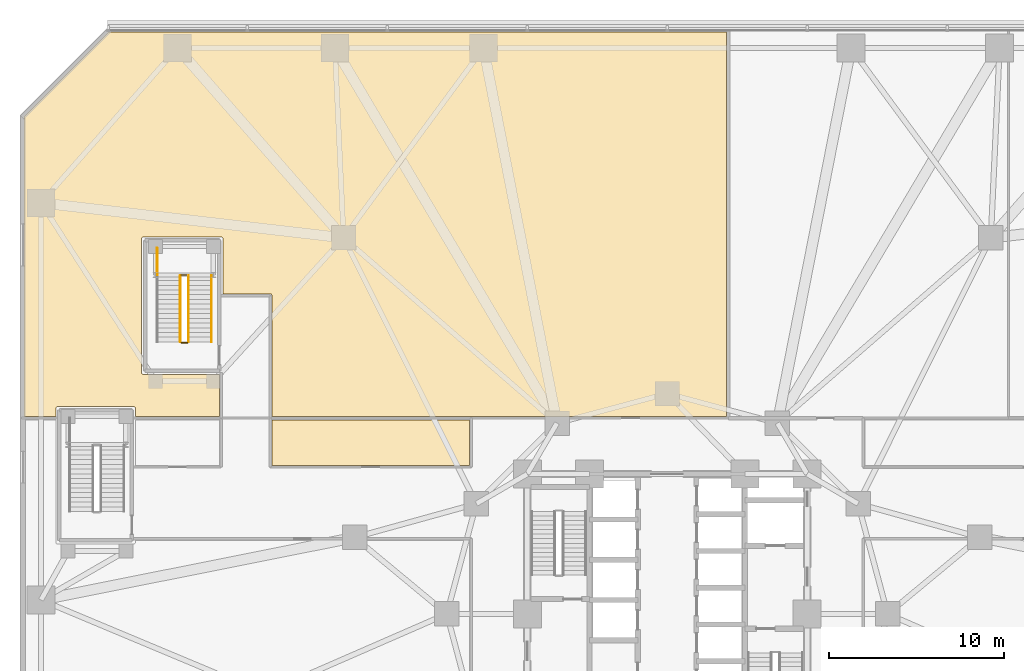
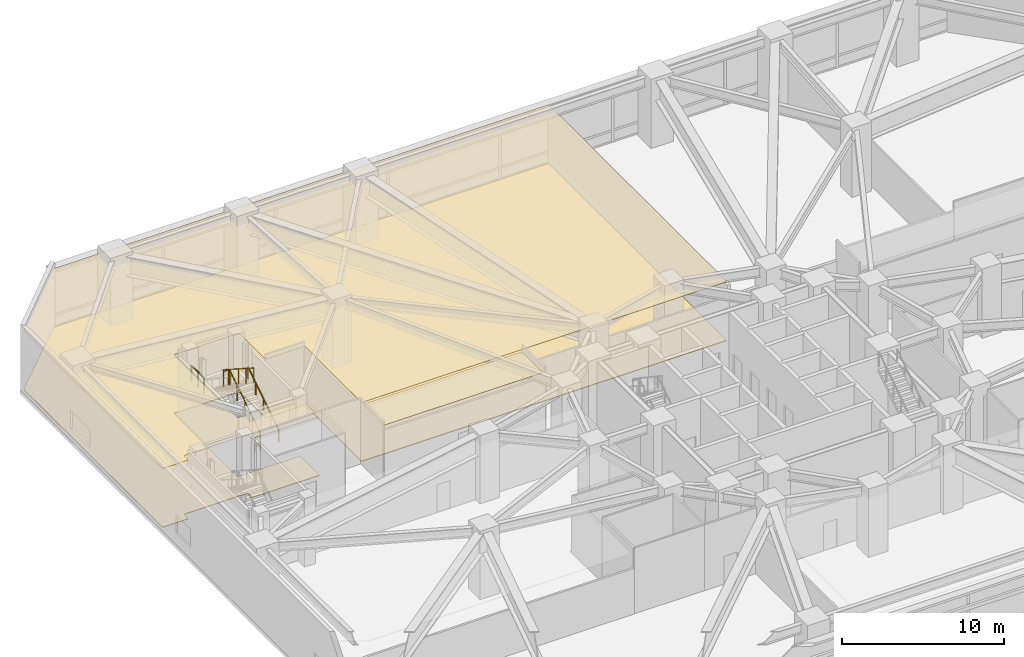
# One storey, part 25 of 27: 6 railings, 3 coverings.
"""IFC4 building model written with IfcOpenShell, lengths in metres."""

from ifc_helpers import new_model, si_unit, direction, frame, origin, origin_2d, place, context, subcontext, project, spatial, polyline, circle, outline, extrude, material, layer, layer_set, type_object, element, save


model = new_model("IFC4")

# Units and contexts
model_context = context("Model", 3, precision=1e-05, world=origin(), true_north=direction((0.0, 1.0)))
body_context = subcontext(model_context, "Body", "Model", "MODEL_VIEW")
ifc_project = project(units=[si_unit("LENGTHUNIT", "METRE"), si_unit("AREAUNIT", "SQUARE_METRE"), si_unit("VOLUMEUNIT", "CUBIC_METRE"), si_unit("PLANEANGLEUNIT", "RADIAN"), si_unit("MASSUNIT", "GRAM", prefix="KILO")], contexts=[model_context])

# Site, building, storey
site_placement = place(None, origin())
site = spatial("IfcSite", under=ifc_project, at=site_placement, CompositionType="ELEMENT")
building_placement = place(site_placement, origin())
building = spatial("IfcBuilding", under=site, at=building_placement, Name="Terralouvre Media Tower", CompositionType="ELEMENT")
storey_placement = place(building_placement, frame((0.0, 0.0, 15.60009765625)))
storey = spatial("IfcBuildingStorey", under=building, at=storey_placement, Name="L03", CompositionType="ELEMENT", Elevation=15.60009765625)

# Coverings
ifc_material_1 = material(Name="Resilient elastomer acoustic broadcast studio flooring")
ifc_layer_1 = layer(ifc_material_1, 0.050048828125, Name="Broadcast Studio Acoustic Floating Floor FL-AC1")
ifc_layer_set_1 = layer_set([ifc_layer_1], Name="Resilient elastomer acoustic broadcast studio flooring")
covering_type_1 = type_object("IfcCoveringType", Name="Broadcast Studio Acoustic Floating Floor FL-AC1", PredefinedType="FLOORING", material=ifc_layer_set_1)
covering_1_placement = place(storey_placement, origin())
element("IfcCovering", 1, at=covering_1_placement, inside=storey, type_object=covering_type_1, Name="L03 L03 National Radio Concert Theatre 9 Acoustic Floating Floor", PredefinedType="FLOORING", context=body_context, shape_type="SweptSolid", body=[
    extrude(outline(polyline([(-34.949951171875, 11.75), (-34.949462890625, 11.759765625), (-34.947998046875, 11.76953125), (-34.94580078125, 11.779052734375), (-34.9423828125, 11.788330078125), (-34.938232421875, 11.797119140625), (-34.93310546875, 11.8056640625), (-34.92724609375, 11.8134765625), (-34.920654296875, 11.82080078125), (-34.913330078125, 11.827392578125), (-34.905517578125, 11.8330078125), (-34.897216796875, 11.838134765625), (-34.88818359375, 11.84228515625), (-34.87890625, 11.845703125), (-34.869384765625, 11.84814453125), (-34.85986328125, 11.849609375), (-34.85009765625, 11.85009765625), (-30.5, 11.85009765625), (-30.490234375, 11.849609375), (-30.48046875, 11.84814453125), (-30.470947265625, 11.845703125), (-30.461669921875, 11.84228515625), (-30.452880859375, 11.838134765625), (-30.4443359375, 11.8330078125), (-30.4365234375, 11.827392578125), (-30.42919921875, 11.82080078125), (-30.422607421875, 11.8134765625), (-30.4169921875, 11.8056640625), (-30.411865234375, 11.797119140625), (-30.40771484375, 11.788330078125), (-30.404296875, 11.779052734375), (-30.40185546875, 11.76953125), (-30.400390625, 11.759765625), (-30.39990234375, 11.75), (-30.39990234375, 11.300048828125), (-25.60009765625, 11.300048828125), (-25.60009765625, 13.699951171875), (-29.949951171875, 13.699951171875), (-29.959716796875, 13.700439453125), (-29.969482421875, 13.701904296875), (-29.97900390625, 13.704345703125), (-29.98828125, 13.70751953125), (-29.9970703125, 13.7119140625), (-30.005615234375, 13.716796875), (-30.013427734375, 13.72265625), (-30.020751953125, 13.729248046875), (-30.02734375, 13.736572265625), (-30.033203125, 13.744384765625), (-30.0380859375, 13.7529296875), (-30.04248046875, 13.76171875), (-30.045654296875, 13.77099609375), (-30.048095703125, 13.780517578125), (-30.049560546875, 13.790283203125), (-30.050048828125, 13.800048828125), (-30.050048828125, 21.449951171875), (-30.049560546875, 21.459716796875), (-30.048095703125, 21.469482421875), (-30.045654296875, 21.47900390625), (-30.04248046875, 21.48828125), (-30.0380859375, 21.4970703125), (-30.033203125, 21.505615234375), (-30.02734375, 21.513427734375), (-30.020751953125, 21.520751953125), (-30.013427734375, 21.52734375), (-30.005615234375, 21.533203125), (-29.9970703125, 21.5380859375), (-29.98828125, 21.54248046875), (-29.97900390625, 21.545654296875), (-29.969482421875, 21.548095703125), (-29.959716796875, 21.549560546875), (-29.949951171875, 21.550048828125), (-25.5, 21.550048828125), (-25.490234375, 21.549560546875), (-25.48046875, 21.548095703125), (-25.470947265625, 21.545654296875), (-25.461669921875, 21.54248046875), (-25.452880859375, 21.5380859375), (-25.4443359375, 21.533203125), (-25.4365234375, 21.52734375), (-25.42919921875, 21.520751953125), (-25.422607421875, 21.513427734375), (-25.4169921875, 21.505615234375), (-25.411865234375, 21.4970703125), (-25.40771484375, 21.48828125), (-25.404296875, 21.47900390625), (-25.40185546875, 21.469482421875), (-25.400390625, 21.459716796875), (-25.39990234375, 21.449951171875), (-25.39990234375, 18.300048828125), (-22.699951171875, 18.300048828125), (-22.690185546875, 18.299560546875), (-22.680419921875, 18.298095703125), (-22.6708984375, 18.295654296875), (-22.66162109375, 18.29248046875), (-22.65283203125, 18.2880859375), (-22.644287109375, 18.283203125), (-22.63671875, 18.27734375), (-22.62939453125, 18.270751953125), (-22.622802734375, 18.263427734375), (-22.616943359375, 18.255615234375), (-22.61181640625, 18.2470703125), (-22.607666015625, 18.23828125), (-22.604248046875, 18.22900390625), (-22.601806640625, 18.219482421875), (-22.6005859375, 18.209716796875), (-22.60009765625, 18.199951171875), (-22.60009765625, 11.300048828125), (3.39990234375, 11.300048828125), (3.39990234375, 33.280029296875), (-31.90869140625, 33.280029296875), (-36.780029296875, 28.40869140625), (-36.780029296875, 11.300048828125), (-34.949951171875, 11.300048828125), (-34.949951171875, 11.75)])), origin(), (0.0, 0.0, 1.0), 0.0498046875),
])
ifc_material_2 = material(Name="Perforated aluminium acoustic ceiling baffle", Category="aluminium")
ifc_layer_2 = layer(ifc_material_2, 0.0400390625, Name="Perforated Acoustic Metal Tile Ceiling CL-AC1")
ifc_layer_set_2 = layer_set([ifc_layer_2], Name="Perforated aluminium acoustic ceiling baffle")
covering_type_2 = type_object("IfcCoveringType", Name="Perforated Acoustic Metal Tile Ceiling CL-AC1", PredefinedType="CEILING", material=ifc_layer_set_2)
covering_2_placement = place(storey_placement, frame((0.0, 0.0, 4.429931640625)))
element("IfcCovering", 2, at=covering_2_placement, inside=storey, type_object=covering_type_2, Name="L03 L03 National Radio Concert Theatre 9 Acoustic Ceiling", PredefinedType="CEILING", context=body_context, shape_type="SweptSolid", body=[
    extrude(outline(polyline([(-34.949951171875, 11.75), (-34.949462890625, 11.759765625), (-34.947998046875, 11.76953125), (-34.94580078125, 11.779052734375), (-34.9423828125, 11.788330078125), (-34.938232421875, 11.797119140625), (-34.93310546875, 11.8056640625), (-34.92724609375, 11.8134765625), (-34.920654296875, 11.82080078125), (-34.913330078125, 11.827392578125), (-34.905517578125, 11.8330078125), (-34.897216796875, 11.838134765625), (-34.88818359375, 11.84228515625), (-34.87890625, 11.845703125), (-34.869384765625, 11.84814453125), (-34.85986328125, 11.849609375), (-34.85009765625, 11.85009765625), (-30.5, 11.85009765625), (-30.490234375, 11.849609375), (-30.48046875, 11.84814453125), (-30.470947265625, 11.845703125), (-30.461669921875, 11.84228515625), (-30.452880859375, 11.838134765625), (-30.4443359375, 11.8330078125), (-30.4365234375, 11.827392578125), (-30.42919921875, 11.82080078125), (-30.422607421875, 11.8134765625), (-30.4169921875, 11.8056640625), (-30.411865234375, 11.797119140625), (-30.40771484375, 11.788330078125), (-30.404296875, 11.779052734375), (-30.40185546875, 11.76953125), (-30.400390625, 11.759765625), (-30.39990234375, 11.75), (-30.39990234375, 11.300048828125), (-25.60009765625, 11.300048828125), (-25.60009765625, 13.699951171875), (-29.949951171875, 13.699951171875), (-29.959716796875, 13.700439453125), (-29.969482421875, 13.701904296875), (-29.97900390625, 13.704345703125), (-29.98828125, 13.70751953125), (-29.9970703125, 13.7119140625), (-30.005615234375, 13.716796875), (-30.013427734375, 13.72265625), (-30.020751953125, 13.729248046875), (-30.02734375, 13.736572265625), (-30.033203125, 13.744384765625), (-30.0380859375, 13.7529296875), (-30.04248046875, 13.76171875), (-30.045654296875, 13.77099609375), (-30.048095703125, 13.780517578125), (-30.049560546875, 13.790283203125), (-30.050048828125, 13.800048828125), (-30.050048828125, 21.449951171875), (-30.049560546875, 21.459716796875), (-30.048095703125, 21.469482421875), (-30.045654296875, 21.47900390625), (-30.04248046875, 21.48828125), (-30.0380859375, 21.4970703125), (-30.033203125, 21.505615234375), (-30.02734375, 21.513427734375), (-30.020751953125, 21.520751953125), (-30.013427734375, 21.52734375), (-30.005615234375, 21.533203125), (-29.9970703125, 21.5380859375), (-29.98828125, 21.54248046875), (-29.97900390625, 21.545654296875), (-29.969482421875, 21.548095703125), (-29.959716796875, 21.549560546875), (-29.949951171875, 21.550048828125), (-25.5, 21.550048828125), (-25.490234375, 21.549560546875), (-25.48046875, 21.548095703125), (-25.470947265625, 21.545654296875), (-25.461669921875, 21.54248046875), (-25.452880859375, 21.5380859375), (-25.4443359375, 21.533203125), (-25.4365234375, 21.52734375), (-25.42919921875, 21.520751953125), (-25.422607421875, 21.513427734375), (-25.4169921875, 21.505615234375), (-25.411865234375, 21.4970703125), (-25.40771484375, 21.48828125), (-25.404296875, 21.47900390625), (-25.40185546875, 21.469482421875), (-25.400390625, 21.459716796875), (-25.39990234375, 21.449951171875), (-25.39990234375, 18.300048828125), (-22.699951171875, 18.300048828125), (-22.690185546875, 18.299560546875), (-22.680419921875, 18.298095703125), (-22.6708984375, 18.295654296875), (-22.66162109375, 18.29248046875), (-22.65283203125, 18.2880859375), (-22.644287109375, 18.283203125), (-22.63671875, 18.27734375), (-22.62939453125, 18.270751953125), (-22.622802734375, 18.263427734375), (-22.616943359375, 18.255615234375), (-22.61181640625, 18.2470703125), (-22.607666015625, 18.23828125), (-22.604248046875, 18.22900390625), (-22.601806640625, 18.219482421875), (-22.6005859375, 18.209716796875), (-22.60009765625, 18.199951171875), (-22.60009765625, 11.300048828125), (3.39990234375, 11.300048828125), (3.39990234375, 33.280029296875), (-31.90869140625, 33.280029296875), (-36.780029296875, 28.40869140625), (-36.780029296875, 11.300048828125), (-34.949951171875, 11.300048828125), (-34.949951171875, 11.75)])), origin(), (0.0, 0.0, 1.0), 0.0400390625),
])
covering_3_placement = place(storey_placement, frame((0.0, 0.0, 4.429931640625)))
element("IfcCovering", 3, at=covering_3_placement, inside=storey, type_object=covering_type_2, Name="L03 L03 Podcast Production Open Office 10 Acoustic Ceiling", PredefinedType="CEILING", context=body_context, shape_type="SweptSolid", body=[
    extrude(outline(polyline([(-22.60009765625, 8.5), (-11.300048828125, 8.5), (-11.300048828125, 11.10009765625), (-22.60009765625, 11.10009765625), (-22.60009765625, 8.5)])), origin(), (0.0, 0.0, 1.0), 0.0400390625),
])

# Railings
ifc_material_3 = material(Name="Stainless steel 316 handrail and balustrade", Category="steel")
ifc_layer_3 = layer(ifc_material_3, 0.050048828125, Name="Stair Flight Wall Handrail HR-INT1")
ifc_layer_set_3 = layer_set([ifc_layer_3], Name="Stainless steel 316 handrail and balustrade")
railing_type_1 = type_object("IfcRailingType", Name="Stair Flight Wall Handrail HR-INT1", PredefinedType="HANDRAIL", material=ifc_layer_set_3)
railing_1_placement = place(storey_placement, frame((-26.050048828125, 15.550048828125, 0.17333984375)))
element("IfcRailing", 4, at=railing_1_placement, inside=storey, type_object=railing_type_1, Name="L03 ST-06 stair handrail 1", PredefinedType="HANDRAIL", context=body_context, shape_type="SweptSolid", body=[
    extrude(circle(Radius=0.02392578125, at=origin_2d()), frame((0.0, 0.0, 0.8759765625), z_axis=(0.0, 0.84153325052, 0.540205320475), x_axis=(-1.0, 0.0, 0.0)), (0.0, 0.0, 1.0), 4.491943359375),
    extrude(circle(Radius=0.02099609375, at=origin_2d()), origin(), (0.0, 0.0, 1.0), 0.851806640625),
    extrude(circle(Radius=0.02099609375, at=origin_2d()), frame((0.0, 0.945068359375, 0.606689453125)), (0.0, 0.0, 1.0), 0.851806640625),
    extrude(circle(Radius=0.02099609375, at=origin_2d()), frame((0.0, 1.89013671875, 1.21337890625)), (0.0, 0.0, 1.0), 0.851806640625),
    extrude(circle(Radius=0.02099609375, at=origin_2d()), frame((0.0, 2.8349609375, 1.81982421875)), (0.0, 0.0, 1.0), 0.851806640625),
    extrude(circle(Radius=0.02099609375, at=origin_2d()), frame((0.0, 3.780029296875, 2.426513671875)), (0.0, 0.0, 1.0), 0.851806640625),
])
ifc_material_4 = material(Name="Stainless steel 316 handrail and balustrade", Category="steel")
ifc_layer_4 = layer(ifc_material_4, 0.050048828125, Name="Stairwell Safety Guardrail GR-INT1")
ifc_layer_set_4 = layer_set([ifc_layer_4], Name="Stainless steel 316 handrail and balustrade")
railing_type_2 = type_object("IfcRailingType", Name="Stairwell Safety Guardrail GR-INT1", PredefinedType="GUARDRAIL", material=ifc_layer_set_4)
railing_2_placement = place(storey_placement, frame((-27.3701171875, 15.550048828125, 0.17333984375)))
element("IfcRailing", 5, at=railing_2_placement, inside=storey, type_object=railing_type_2, Name="L03 ST-06 stair guard 1", PredefinedType="GUARDRAIL", context=body_context, shape_type="SweptSolid", body=[
    extrude(circle(Radius=0.02392578125, at=origin_2d()), frame((0.0, 0.0, 1.1259765625), z_axis=(0.0, 0.84153325052, 0.540205320475), x_axis=(-1.0, 0.0, 0.0)), (0.0, 0.0, 1.0), 4.491943359375),
    extrude(circle(Radius=0.02099609375, at=origin_2d()), origin(), (0.0, 0.0, 1.0), 1.101806640625),
    extrude(circle(Radius=0.02099609375, at=origin_2d()), frame((0.0, 0.945068359375, 0.606689453125)), (0.0, 0.0, 1.0), 1.101806640625),
    extrude(circle(Radius=0.02099609375, at=origin_2d()), frame((0.0, 1.89013671875, 1.21337890625)), (0.0, 0.0, 1.0), 1.101806640625),
    extrude(circle(Radius=0.02099609375, at=origin_2d()), frame((0.0, 2.8349609375, 1.81982421875)), (0.0, 0.0, 1.0), 1.101806640625),
    extrude(circle(Radius=0.02099609375, at=origin_2d()), frame((0.0, 3.780029296875, 2.426513671875)), (0.0, 0.0, 1.0), 1.101806640625),
])
railing_3_placement = place(storey_placement, frame((-27.419921875, 19.3798828125, 2.599853515625)))
element("IfcRailing", 6, at=railing_3_placement, inside=storey, type_object=railing_type_2, Name="L03 ST-06 stair guard 2", PredefinedType="GUARDRAIL", context=body_context, shape_type="SweptSolid", body=[
    extrude(circle(Radius=0.02392578125, at=origin_2d()), frame((0.0, 0.0, 1.1259765625), z_axis=(-1.0, 0.0, 0.0), x_axis=(0.0, -1.0, 0.0)), (0.0, 0.0, 1.0), 0.360107421875),
    extrude(circle(Radius=0.02099609375, at=origin_2d()), origin(), (0.0, 0.0, 1.0), 1.101806640625),
    extrude(circle(Radius=0.02099609375, at=origin_2d()), frame((-0.360107421875, 0.0, 0.0)), (0.0, 0.0, 1.0), 1.101806640625),
])
railing_4_placement = place(storey_placement, frame((-27.830078125, 19.330078125, 2.773193359375)))
element("IfcRailing", 7, at=railing_4_placement, inside=storey, type_object=railing_type_2, Name="L03 ST-06 stair guard 3", PredefinedType="GUARDRAIL", context=body_context, shape_type="SweptSolid", body=[
    extrude(circle(Radius=0.02392578125, at=origin_2d()), frame((0.0, 0.0, 1.1259765625), z_axis=(0.0, -0.841508541869, 0.540243809739), x_axis=(1.0, 0.0, 0.0)), (0.0, 0.0, 1.0), 4.491943359375),
    extrude(circle(Radius=0.02099609375, at=origin_2d()), origin(), (0.0, 0.0, 1.0), 1.101806640625),
    extrude(circle(Radius=0.02099609375, at=origin_2d()), frame((0.0, -0.945068359375, 0.606689453125)), (0.0, 0.0, 1.0), 1.101806640625),
    extrude(circle(Radius=0.02099609375, at=origin_2d()), frame((0.0, -1.89013671875, 1.21337890625)), (0.0, 0.0, 1.0), 1.101806640625),
    extrude(circle(Radius=0.02099609375, at=origin_2d()), frame((0.0, -2.8349609375, 1.820068359375)), (0.0, 0.0, 1.0), 1.101806640625),
    extrude(circle(Radius=0.02099609375, at=origin_2d()), frame((0.0, -3.780029296875, 2.4267578125)), (0.0, 0.0, 1.0), 1.101806640625),
])
railing_5_placement = place(storey_placement, frame((-27.419921875, 15.5, 0.0)))
element("IfcRailing", 8, at=railing_5_placement, inside=storey, type_object=railing_type_2, Name="L03 ST-06 stair guard 4", PredefinedType="GUARDRAIL", context=body_context, shape_type="SweptSolid", body=[
    extrude(circle(Radius=0.02392578125, at=origin_2d()), frame((0.0, 0.0, 1.1259765625), z_axis=(-1.0, 0.0, 0.0), x_axis=(0.0, -1.0, 0.0)), (0.0, 0.0, 1.0), 0.360107421875),
    extrude(circle(Radius=0.02099609375, at=origin_2d()), origin(), (0.0, 0.0, 1.0), 1.101806640625),
    extrude(circle(Radius=0.02099609375, at=origin_2d()), frame((-0.360107421875, 0.0, 0.0)), (0.0, 0.0, 1.0), 1.101806640625),
])
railing_6_placement = place(storey_placement, frame((-29.159912109375, 19.3701171875, 2.599853515625)))
element("IfcRailing", 9, at=railing_6_placement, inside=storey, type_object=railing_type_2, Name="L03 ST-06 Half-Landing Outer Guardrail", PredefinedType="GUARDRAIL", context=body_context, shape_type="SweptSolid", body=[
    extrude(circle(Radius=0.02392578125, at=origin_2d()), frame((0.0, 0.0, 1.1259765625), z_axis=(0.0, 1.0, 0.0), x_axis=(-1.0, 0.0, 0.0)), (0.0, 0.0, 1.0), 1.539794921875),
    extrude(circle(Radius=0.02099609375, at=origin_2d()), origin(), (0.0, 0.0, 1.0), 1.101806640625),
    extrude(circle(Radius=0.02099609375, at=origin_2d()), frame((0.0, 0.77001953125, 0.0)), (0.0, 0.0, 1.0), 1.101806640625),
    extrude(circle(Radius=0.02099609375, at=origin_2d()), frame((0.0, 1.539794921875, 0.0)), (0.0, 0.0, 1.0), 1.101806640625),
])

save(model, "model.ifc")
